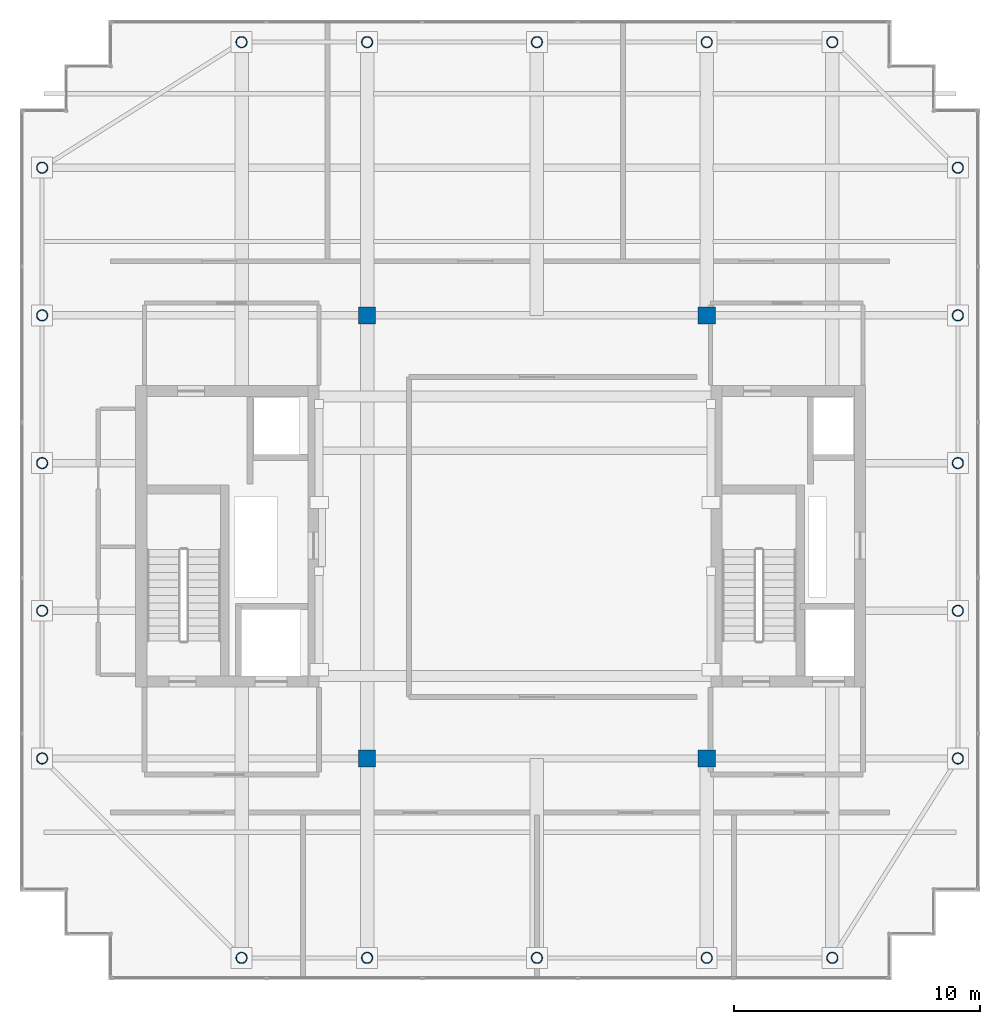
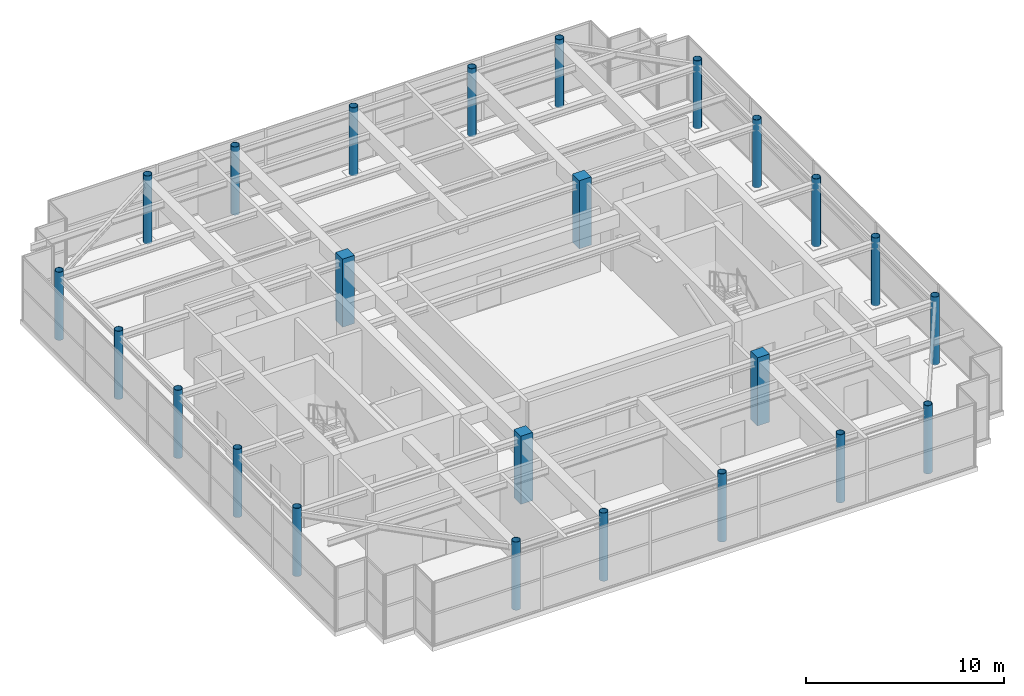
# One storey, part 1 of 32: 24 columns.
"""IFC4 building model written with IfcOpenShell, lengths in metres."""

from ifc_helpers import new_model, si_unit, direction, frame, origin, origin_2d, place, context, subcontext, project, spatial, rectangle, hollow_circle, extrude, source, transform, mapped, material, material_profile, profile_set, type_object, element, save


model = new_model("IFC4")

# Units and contexts
model_context = context("Model", 3, precision=1e-05, world=origin(), true_north=direction((0.0, 1.0)))
body_context = subcontext(model_context, "Body", "Model", "MODEL_VIEW")
ifc_project = project(units=[si_unit("LENGTHUNIT", "METRE"), si_unit("AREAUNIT", "SQUARE_METRE"), si_unit("VOLUMEUNIT", "CUBIC_METRE"), si_unit("PLANEANGLEUNIT", "RADIAN"), si_unit("MASSUNIT", "GRAM", prefix="KILO")], contexts=[model_context])

# Site, building, storey
site_placement = place(None, origin())
site = spatial("IfcSite", under=ifc_project, at=site_placement, CompositionType="ELEMENT")
building_placement = place(site_placement, origin())
building = spatial("IfcBuilding", under=site, at=building_placement, Name="Khoralis Quay Care Tower", CompositionType="ELEMENT")
storey_placement = place(building_placement, frame((0.0, 0.0, 293.699951171875)))
storey = spatial("IfcBuildingStorey", under=building, at=storey_placement, Name="L77", CompositionType="ELEMENT", Elevation=293.699951171875)

# Columns
ifc_material_1 = material(Name="Concrete C50/60", Category="concrete")
ifc_material_profile_1 = material_profile(ifc_material_1, rectangle(XDim=0.699951171875, YDim=0.699951171875, at=origin_2d()), Name="Concrete C50/60")
ifc_profile_set_1 = profile_set([ifc_material_profile_1], Name="Concrete C50/60")
column_type_1 = type_object("IfcColumnType", Name="COL-C700", PredefinedType="COLUMN", material=ifc_profile_set_1)
shared_shape_1 = source(origin(), body_context, "Body", "SweptSolid", [
    extrude(rectangle(XDim=0.699951171875, YDim=0.699951171875, at=origin_2d()), origin(), (0.0, 0.0, 1.0), 4.199951171875),
])
for number, where, z_axis, x_axis, name in (
    (1, (17.10009765625, 12.0, 0.0), (0.0, 0.0, 1.0), (1.0, 0.0, 0.0), "COL-TWR-L77-21"),
    (2, (17.10009765625, 30.0, 0.0), (0.0, 0.0, 1.0), (1.0, 0.0, 0.0), "COL-TWR-L77-22"),
    (3, (30.89990234375, 12.0, 0.0), (0.0, 0.0, 1.0), (1.0, 0.0, 0.0), "COL-TWR-L77-23"),
    (4, (30.89990234375, 30.0, 0.0), (0.0, 0.0, 1.0), (1.0, 0.0, 0.0), "COL-TWR-L77-24"),
):
    element("IfcColumn", number, at=place(storey_placement, frame(where, z_axis=z_axis, x_axis=x_axis)), inside=storey, type_object=column_type_1, Name=name, PredefinedType="COLUMN", context=body_context, shape_type="MappedRepresentation", body=[
        mapped(shared_shape_1, transform((0.0, 0.0, 0.0), scale=1.0)),
    ])
ifc_material_2 = material(Name="Steel S460", Category="steel")
ifc_material_profile_2 = material_profile(ifc_material_2, hollow_circle(Radius=0.228515625, WallThickness=0.02490234375, at=origin_2d()), Name="Steel S460")
ifc_profile_set_2 = profile_set([ifc_material_profile_2], Name="Steel S460")
column_type_2 = type_object("IfcColumnType", Name="COL-LN-CHS457", PredefinedType="COLUMN", material=ifc_profile_set_2)
shared_shape_2 = source(origin(), body_context, "Body", "SweptSolid", [
    extrude(hollow_circle(Radius=0.228515625, WallThickness=0.02490234375, at=origin_2d()), origin(), (0.0, 0.0, 1.0), 4.199951171875),
])
for number, where, z_axis, x_axis, name in (
    (5, (12.0, 3.89990234375, 0.0), (0.0, 0.0, 1.0), (1.0, 0.0, 0.0), "COL-TWR-L77-01"),
    (6, (12.0, 41.10009765625, 0.0), (0.0, 0.0, 1.0), (1.0, 0.0, 0.0), "COL-TWR-L77-02"),
    (7, (17.10009765625, 3.89990234375, 0.0), (0.0, 0.0, 1.0), (1.0, 0.0, 0.0), "COL-TWR-L77-03"),
    (8, (17.10009765625, 41.10009765625, 0.0), (0.0, 0.0, 1.0), (1.0, 0.0, 0.0), "COL-TWR-L77-04"),
    (9, (24.0, 3.89990234375, 0.0), (0.0, 0.0, 1.0), (1.0, 0.0, 0.0), "COL-TWR-L77-05"),
    (10, (24.0, 41.10009765625, 0.0), (0.0, 0.0, 1.0), (1.0, 0.0, 0.0), "COL-TWR-L77-06"),
    (11, (30.89990234375, 3.89990234375, 0.0), (0.0, 0.0, 1.0), (1.0, 0.0, 0.0), "COL-TWR-L77-07"),
    (12, (30.89990234375, 41.10009765625, 0.0), (0.0, 0.0, 1.0), (1.0, 0.0, 0.0), "COL-TWR-L77-08"),
    (13, (36.0, 3.89990234375, 0.0), (0.0, 0.0, 1.0), (1.0, 0.0, 0.0), "COL-TWR-L77-09"),
    (14, (36.0, 41.10009765625, 0.0), (0.0, 0.0, 1.0), (1.0, 0.0, 0.0), "COL-TWR-L77-10"),
    (15, (3.89990234375, 12.0, 0.0), (0.0, 0.0, 1.0), (1.0, 0.0, 0.0), "COL-TWR-L77-11"),
    (16, (41.10009765625, 12.0, 0.0), (0.0, 0.0, 1.0), (1.0, 0.0, 0.0), "COL-TWR-L77-12"),
    (17, (3.89990234375, 18.0, 0.0), (0.0, 0.0, 1.0), (1.0, 0.0, 0.0), "COL-TWR-L77-13"),
    (18, (41.10009765625, 18.0, 0.0), (0.0, 0.0, 1.0), (1.0, 0.0, 0.0), "COL-TWR-L77-14"),
    (19, (3.89990234375, 24.0, 0.0), (0.0, 0.0, 1.0), (1.0, 0.0, 0.0), "COL-TWR-L77-15"),
    (20, (41.10009765625, 24.0, 0.0), (0.0, 0.0, 1.0), (1.0, 0.0, 0.0), "COL-TWR-L77-16"),
    (21, (3.89990234375, 30.0, 0.0), (0.0, 0.0, 1.0), (1.0, 0.0, 0.0), "COL-TWR-L77-17"),
    (22, (41.10009765625, 30.0, 0.0), (0.0, 0.0, 1.0), (1.0, 0.0, 0.0), "COL-TWR-L77-18"),
    (23, (3.89990234375, 36.0, 0.0), (0.0, 0.0, 1.0), (1.0, 0.0, 0.0), "COL-TWR-L77-19"),
    (24, (41.10009765625, 36.0, 0.0), (0.0, 0.0, 1.0), (1.0, 0.0, 0.0), "COL-TWR-L77-20"),
):
    element("IfcColumn", number, at=place(storey_placement, frame(where, z_axis=z_axis, x_axis=x_axis)), inside=storey, type_object=column_type_2, Name=name, PredefinedType="COLUMN", context=body_context, shape_type="MappedRepresentation", body=[
        mapped(shared_shape_2, transform((0.0, 0.0, 0.0), scale=1.0)),
    ])

save(model, "model.ifc")
